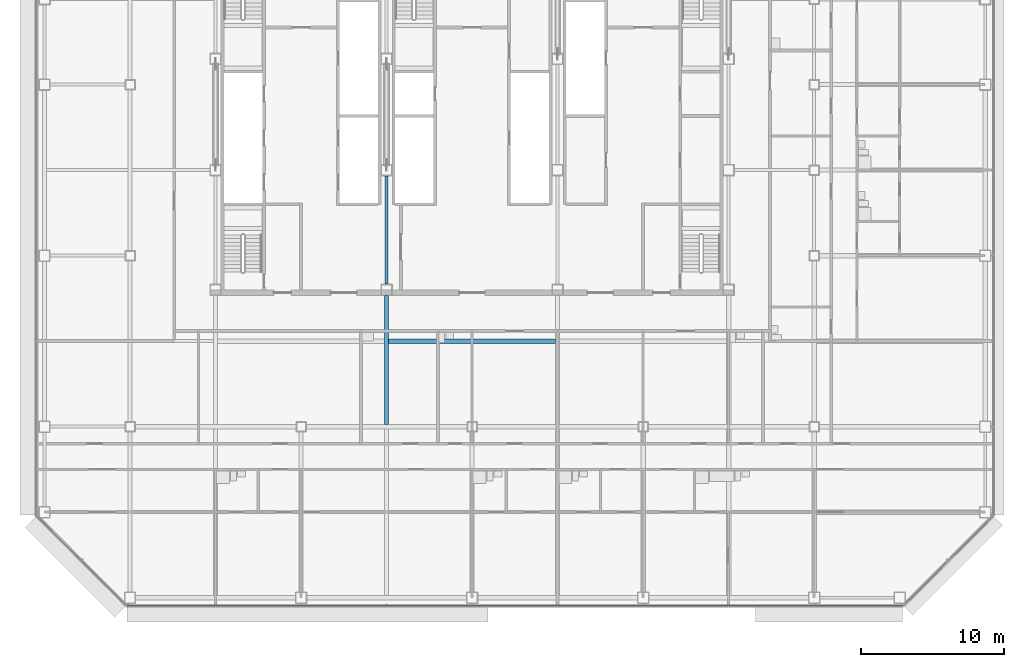
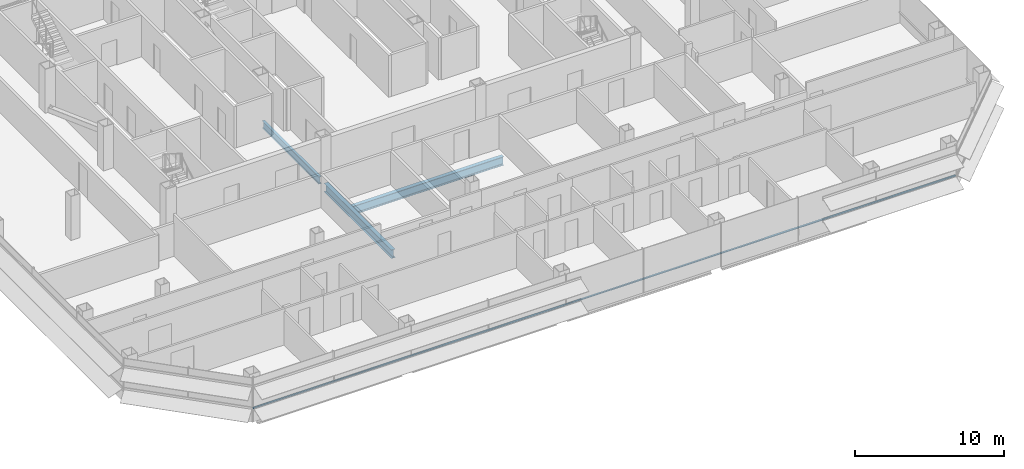
# One storey, part 7 of 25: 3 beams, 1 member, 1 element without a shape of its own.
"""IFC4 building model written with IfcOpenShell, lengths in metres."""

from ifc_helpers import new_model, si_unit, direction, frame, origin, origin_2d, place, context, subcontext, project, spatial, rectangle, i_section, extrude, material, material_profile, profile_set, type_object, element, aggregate, save


model = new_model("IFC4")

# Units and contexts
model_context = context("Model", 3, precision=1e-05, world=origin(), true_north=direction((0.0, 1.0)))
body_context = subcontext(model_context, "Body", "Model", "MODEL_VIEW")
ifc_project = project(units=[si_unit("LENGTHUNIT", "METRE"), si_unit("AREAUNIT", "SQUARE_METRE"), si_unit("VOLUMEUNIT", "CUBIC_METRE"), si_unit("PLANEANGLEUNIT", "RADIAN"), si_unit("MASSUNIT", "GRAM", prefix="KILO")], contexts=[model_context])

# Site, building, storey
site_placement = place(None, origin())
site = spatial("IfcSite", under=ifc_project, at=site_placement, CompositionType="ELEMENT")
building_placement = place(site_placement, origin())
building = spatial("IfcBuilding", under=site, at=building_placement, Name="Sorahane Residences", CompositionType="ELEMENT")
storey_placement = place(building_placement, frame((0.0, 0.0, 107.0)))
storey = spatial("IfcBuildingStorey", under=building, at=storey_placement, Name="L23", CompositionType="ELEMENT", Elevation=107.0)

# Curtain wall, member
ifc_material_1 = material(Name="Dark low-e glass and black anodised aluminium", Category="aluminium")
curtain_wall_type = type_object("IfcCurtainWallType", Name="Curtain wall CW-1 Typical unitised wall", PredefinedType="NOTDEFINED", material=ifc_material_1)
curtain_wall_placement = place(storey_placement, origin())
curtain_wall = element("IfcCurtainWall", 1, at=curtain_wall_placement, inside=storey, type_object=curtain_wall_type, Name="CW-1 curtain wall L23 S1", PredefinedType="NOTDEFINED")
ifc_material_2 = material(Name="Black anodised aluminium", Category="aluminium")
ifc_material_profile_1 = material_profile(ifc_material_2, rectangle(XDim=0.10009765625, YDim=0.06005859375, at=origin_2d()), Name="Curtain wall transom CW-1 black anodised aluminium 60x100")
ifc_profile_set_1 = profile_set([ifc_material_profile_1], Name="Black anodised aluminium")
member_type = type_object("IfcMemberType", Name="Curtain wall transom CW-1 black anodised aluminium 60x100", PredefinedType="USERDEFINED", material=ifc_profile_set_1)
member_placement = place(storey_placement, frame((-0.198486328125, -0.530029296875, 0.89990234375), z_axis=(1.0, 0.0, 0.0), x_axis=(0.0, 1.0, 0.0)))
member = element("IfcMember", 2, at=member_placement, type_object=member_type, Name="CW-1 transom L23 S1", ObjectType="TRANSOM", PredefinedType="USERDEFINED", context=body_context, shape_type="SweptSolid", body=[
    extrude(rectangle(XDim=0.10009765625, YDim=0.06005859375, at=origin_2d()), origin(), (0.0, 0.0, 1.0), 54.39697265625),
])
aggregate(curtain_wall, [member])

# Beams
ifc_material_3 = material(Name="Steel Q355B", Category="steel")
ifc_material_profile_2 = material_profile(ifc_material_3, i_section(OverallWidth=0.199951171875, OverallDepth=0.60009765625, WebThickness=0.010986328125, FlangeThickness=0.01708984375, FilletRadius=0.02392578125, at=origin_2d()), Name="HN 600x200x11x17")
ifc_profile_set_2 = profile_set([ifc_material_profile_2], Name="Steel Q355B")
beam_type_1 = type_object("IfcBeamType", Name="Steel floor beam HN 600x200x11x17 Q355B", PredefinedType="BEAM", material=ifc_profile_set_2)
beam_1_placement = place(storey_placement, frame((18.0, 22.0, -0.47998046875), z_axis=(0.0, 1.0, 0.0), x_axis=(-1.0, 0.0, 0.0)))
element("IfcBeam", 3, at=beam_1_placement, inside=storey, type_object=beam_type_1, Name="Beam L23 038", PredefinedType="BEAM", context=body_context, shape_type="SweptSolid", body=[
    extrude(i_section(OverallWidth=0.199951171875, OverallDepth=0.60009765625, WebThickness=0.010986328125, FlangeThickness=0.01708984375, FilletRadius=0.02392578125, at=origin_2d()), origin(), (0.0, 0.0, 1.0), 7.60009765625),
])
ifc_material_4 = material(Name="Steel Q355B", Category="steel")
ifc_material_profile_3 = material_profile(ifc_material_4, i_section(OverallWidth=0.300048828125, OverallDepth=0.699951171875, WebThickness=0.012939453125, FlangeThickness=0.02392578125, FilletRadius=0.028076171875, at=origin_2d()), Name="HN 700x300x13x24")
ifc_profile_set_3 = profile_set([ifc_material_profile_3], Name="Steel Q355B")
beam_type_2 = type_object("IfcBeamType", Name="Steel floor beam HN 700x300x13x24 Q355B", PredefinedType="BEAM", material=ifc_profile_set_3)
beam_2_placement = place(storey_placement, frame((18.0, 12.14990234375, -0.530029296875), z_axis=(0.0, 1.0, 0.0), x_axis=(-1.0, 0.0, 0.0)))
element("IfcBeam", 4, at=beam_2_placement, inside=storey, type_object=beam_type_2, Name="Beam L23 037", PredefinedType="BEAM", context=body_context, shape_type="SweptSolid", body=[
    extrude(i_section(OverallWidth=0.300048828125, OverallDepth=0.699951171875, WebThickness=0.012939453125, FlangeThickness=0.02392578125, FilletRadius=0.028076171875, at=origin_2d()), origin(), (0.0, 0.0, 1.0), 9.050048828125),
])
beam_3_placement = place(storey_placement, frame((18.14990234375, 18.0, -0.530029296875), z_axis=(1.0, 0.0, 0.0), x_axis=(0.0, 1.0, 0.0)))
element("IfcBeam", 5, at=beam_3_placement, inside=storey, type_object=beam_type_2, Name="Beam L23 081", PredefinedType="BEAM", context=body_context, shape_type="SweptSolid", body=[
    extrude(i_section(OverallWidth=0.300048828125, OverallDepth=0.699951171875, WebThickness=0.012939453125, FlangeThickness=0.02392578125, FilletRadius=0.028076171875, at=origin_2d()), origin(), (0.0, 0.0, 1.0), 11.7001953125),
])

save(model, "model.ifc")
